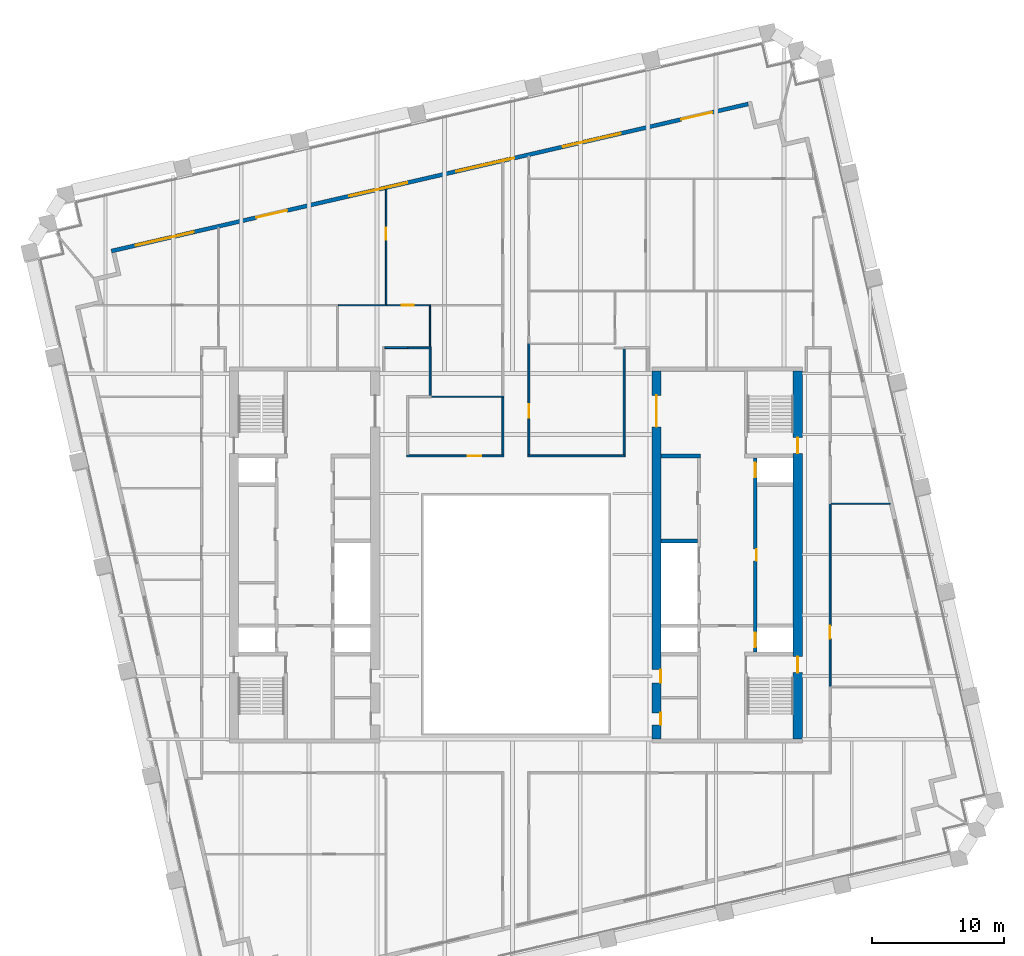
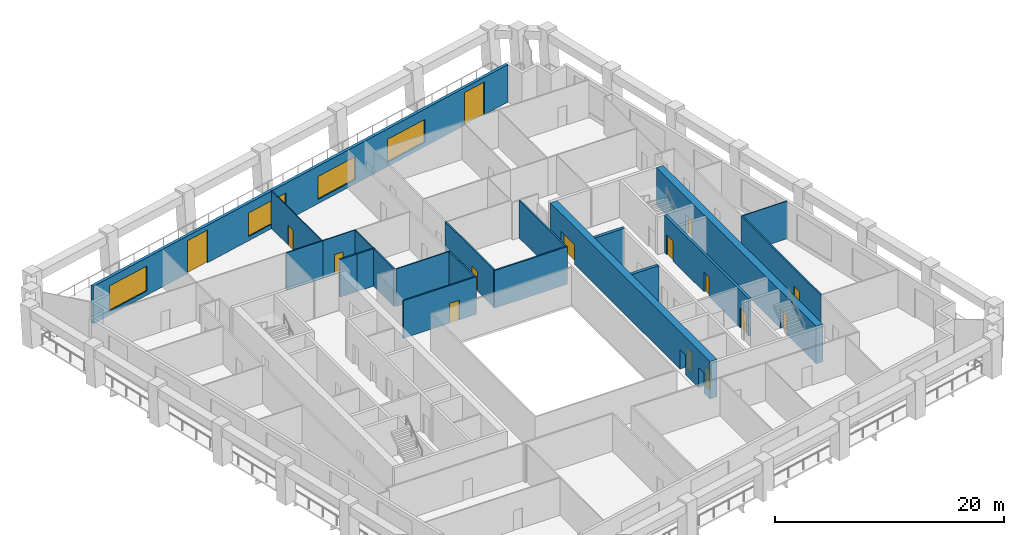
# One storey, part 7 of 10: 21 walls, 15 doors, 4 windows, 19 openings.
"""IFC4 building model written with IfcOpenShell, lengths in metres."""

from ifc_helpers import new_model, si_unit, direction, frame, frame_2d, origin, place, context, subcontext, project, spatial, rectangle, extrude, material, layer, layer_set, type_object, element, fill, save


model = new_model("IFC4")

# Units and contexts
model_context = context("Model", 3, precision=1e-05, world=origin(), true_north=direction((0.0, 1.0)))
body_context = subcontext(model_context, "Body", "Model", "MODEL_VIEW")
ifc_project = project(units=[si_unit("LENGTHUNIT", "METRE"), si_unit("AREAUNIT", "SQUARE_METRE"), si_unit("VOLUMEUNIT", "CUBIC_METRE"), si_unit("PLANEANGLEUNIT", "RADIAN"), si_unit("MASSUNIT", "GRAM", prefix="KILO")], contexts=[model_context])

# Site, building, storey
site_placement = place(None, origin())
site = spatial("IfcSite", under=ifc_project, at=site_placement, CompositionType="ELEMENT")
building_placement = place(site_placement, origin())
building = spatial("IfcBuilding", under=site, at=building_placement, Name="Ogive Exchange Tower", CompositionType="ELEMENT")
storey_placement = place(building_placement, frame((0.0, 0.0, 192.60009765625)))
storey = spatial("IfcBuildingStorey", under=building, at=storey_placement, Name="L42", CompositionType="ELEMENT", Elevation=192.60009765625)

# Walls
ifc_material_1 = material(Name="Gypsum board partition")
ifc_layer_1 = layer(ifc_material_1, 0.300048828125)
ifc_layer_set_1 = layer_set([ifc_layer_1], Name="Core room partition 300 gypsum")
wall_type_1 = type_object("IfcWallType", Name="Core room partition 300 gypsum", PredefinedType="PARTITIONING", material=ifc_layer_set_1)
wall_1_placement = place(storey_placement, frame((11.0, 19.0, 0.0), z_axis=(0.0, 0.0, 1.0), x_axis=(1.0, 0.0, 0.0)))
element("IfcWall", 1, at=wall_1_placement, inside=storey, type_object=wall_type_1, Name="E row B room end wall 7", PredefinedType="PARTITIONING", context=body_context, shape_type="SweptSolid", body=[
    extrude(rectangle(XDim=3.0, YDim=0.300048828125, at=frame_2d((1.5, 0.0))), origin(), (0.0, 0.0, 1.0), 4.0),
])
ifc_material_2 = material(Name="Fire partition EI 60 150")
ifc_layer_2 = layer(ifc_material_2, 0.14990234375)
ifc_layer_set_2 = layer_set([ifc_layer_2], Name="Fire partition EI 60 150")
wall_type_2 = type_object("IfcWallType", Name="Fire partition EI 60 150", PredefinedType="PARTITIONING", material=ifc_layer_set_2)
wall_2_placement = place(storey_placement, frame((-9.925048828125, 27.199951171875, 0.0), z_axis=(0.0, 0.0, 1.0), x_axis=(1.0, 0.0, 0.0)))
element("IfcWall", 2, at=wall_2_placement, inside=storey, type_object=wall_type_2, Name="L42-PWL-022", PredefinedType="PARTITIONING", context=body_context, shape_type="SweptSolid", body=[
    extrude(rectangle(XDim=1.72509765625, YDim=0.14990234375, at=frame_2d((0.862548828125, 0.0))), origin(), (0.0, 0.0, 1.0), 4.0),
])

# Wall, opening, door
wall_3_placement = place(storey_placement, frame((-8.27490234375, 19.0, 0.0), z_axis=(0.0, 0.0, 1.0), x_axis=(1.0, 0.0, 0.0)))
wall_3 = element("IfcWall", 3, at=wall_3_placement, inside=storey, type_object=wall_type_2, Name="L42-PWL-028", PredefinedType="PARTITIONING", context=body_context, shape_type="SweptSolid", body=[
    extrude(rectangle(XDim=7.35986328125, YDim=0.14990234375, at=frame_2d((3.679931640625, 0.0))), origin(), (0.0, 0.0, 1.0), 4.0),
])
opening_1_placement = place(wall_3_placement, frame((4.635009765625, 0.0, 0.0)))
opening_1 = element("IfcOpeningElement", 4, at=opening_1_placement, cuts=wall_3, Name="Opening L42-I03", PredefinedType="OPENING", context=body_context, shape_type="SweptSolid", body=[
    extrude(rectangle(XDim=1.0, YDim=2.10009765625, at=frame_2d((0.5, 1.050048828125))), frame((0.0, 0.0849609375, 0.0), z_axis=(0.0, -1.0, 0.0), x_axis=(1.0, 0.0, 0.0)), (0.0, 0.0, 1.0), 0.169921875),
])
ifc_material_3 = material(Name="Fire door FD 30S 1000 x 2100")
door_type_1 = type_object("IfcDoorType", Name="Fire door FD 30S 1000 x 2100", OperationType="NOTDEFINED", PredefinedType="DOOR", material=ifc_material_3)
door_1_placement = place(opening_1_placement, origin())
door_1 = element("IfcDoor", 5, at=door_1_placement, inside=storey, type_object=door_type_1, Name="L42-IDR-003", ObjectType="DT3", OperationType="SINGLE_SWING_LEFT", OverallHeight=2.10009765625, OverallWidth=1.0, PredefinedType="DOOR", context=body_context, shape_type="SweptSolid", body=[
    extrude(rectangle(XDim=1.0, YDim=2.10009765625, at=frame_2d((0.5, 1.050048828125))), frame((0.0, 0.02490234375, 0.0), z_axis=(0.0, -1.0, 0.0), x_axis=(1.0, 0.0, 0.0)), (0.0, 0.0, 1.0), 0.050048828125),
])
fill(opening_1, door_1)

# Walls
wall_4_placement = place(storey_placement, frame((-8.199951171875, 27.18994140625, 0.0), z_axis=(0.0, 0.0, 1.0), x_axis=(1.0, 0.0, 0.0)))
element("IfcWall", 6, at=wall_4_placement, inside=storey, type_object=wall_type_2, Name="L42-PWL-030", PredefinedType="PARTITIONING", context=body_context, shape_type="SweptSolid", body=[
    extrude(rectangle(XDim=1.77490234375, YDim=0.14990234375, at=frame_2d((0.887451171875, 0.0))), origin(), (0.0, 0.0, 1.0), 4.0),
])
wall_5_placement = place(storey_placement, frame((-6.5, 27.114990234375, 0.0), z_axis=(0.0, 0.0, 1.0), x_axis=(0.0, -1.0, 0.0)))
element("IfcWall", 7, at=wall_5_placement, inside=storey, type_object=wall_type_2, Name="L42-PWL-033", PredefinedType="PARTITIONING", context=body_context, shape_type="SweptSolid", body=[
    extrude(rectangle(XDim=3.550048828125, YDim=0.14990234375, at=frame_2d((1.77490234375, 0.0))), origin(), (0.0, 0.0, 1.0), 4.0),
])
wall_6_placement = place(storey_placement, frame((-0.989990234375, 19.074951171875, 0.0), z_axis=(0.0, 0.0, 1.0), x_axis=(0.0, 1.0, 0.0)))
element("IfcWall", 8, at=wall_6_placement, inside=storey, type_object=wall_type_2, Name="L42-PWL-038", PredefinedType="PARTITIONING", context=body_context, shape_type="SweptSolid", body=[
    extrude(rectangle(XDim=4.364990234375, YDim=0.14990234375, at=frame_2d((2.1826171875, 0.0))), origin(), (0.0, 0.0, 1.0), 4.0),
])
wall_7_placement = place(storey_placement, frame((0.9150390625, 19.0, 0.0), z_axis=(0.0, 0.0, 1.0), x_axis=(1.0, 0.0, 0.0)))
element("IfcWall", 9, at=wall_7_placement, inside=storey, type_object=wall_type_2, Name="L42-PWL-042", PredefinedType="PARTITIONING", context=body_context, shape_type="SweptSolid", body=[
    extrude(rectangle(XDim=7.349853515625, YDim=0.14990234375, at=frame_2d((3.6748046875, 0.0))), origin(), (0.0, 0.0, 1.0), 4.0),
])

# Wall, opening, door
wall_8_placement = place(storey_placement, frame((0.989990234375, 27.550048828125, 0.0), z_axis=(0.0, 0.0, 1.0), x_axis=(0.0, -1.0, 0.0)))
wall_8 = element("IfcWall", 10, at=wall_8_placement, inside=storey, type_object=wall_type_2, Name="L42-PWL-043", PredefinedType="PARTITIONING", context=body_context, shape_type="SweptSolid", body=[
    extrude(rectangle(XDim=8.47509765625, YDim=0.14990234375, at=frame_2d((4.237548828125, 0.0))), origin(), (0.0, 0.0, 1.0), 4.0),
])
opening_2_placement = place(wall_8_placement, frame((4.64990234375, 0.0, 0.0)))
opening_2 = element("IfcOpeningElement", 11, at=opening_2_placement, cuts=wall_8, Name="Opening L42-I23", PredefinedType="OPENING", context=body_context, shape_type="SweptSolid", body=[
    extrude(rectangle(XDim=1.0, YDim=2.10009765625, at=frame_2d((0.5, 1.050048828125))), frame((0.0, 0.0849609375, 0.0), z_axis=(0.0, -1.0, 0.0), x_axis=(1.0, 0.0, 0.0)), (0.0, 0.0, 1.0), 0.169921875),
])
door_2_placement = place(opening_2_placement, origin())
door_2 = element("IfcDoor", 12, at=door_2_placement, inside=storey, type_object=door_type_1, Name="L42-IDR-023", ObjectType="DT3", OperationType="SINGLE_SWING_LEFT", OverallHeight=2.10009765625, OverallWidth=1.0, PredefinedType="DOOR", context=body_context, shape_type="SweptSolid", body=[
    extrude(rectangle(XDim=1.0, YDim=2.10009765625, at=frame_2d((0.5, 1.050048828125))), frame((0.0, 0.02490234375, 0.0), z_axis=(0.0, -1.0, 0.0), x_axis=(1.0, 0.0, 0.0)), (0.0, 0.0, 1.0), 0.050048828125),
])
fill(opening_2, door_2)

# Wall
wall_9_placement = place(storey_placement, frame((8.18994140625, 19.074951171875, 0.0), z_axis=(0.0, 0.0, 1.0), x_axis=(0.0, 1.0, 0.0)))
element("IfcWall", 13, at=wall_9_placement, inside=storey, type_object=wall_type_2, Name="L42-PWL-053", PredefinedType="PARTITIONING", context=body_context, shape_type="SweptSolid", body=[
    extrude(rectangle(XDim=8.06494140625, YDim=0.14990234375, at=frame_2d((4.032470703125, 0.0))), origin(), (0.0, 0.0, 1.0), 4.0),
])

# Wall, opening, door
wall_10_placement = place(storey_placement, frame((23.800048828125, 15.429931640625, 0.0), z_axis=(0.0, 0.0, 1.0), x_axis=(0.0, -1.0, 0.0)))
wall_10 = element("IfcWall", 14, at=wall_10_placement, inside=storey, type_object=wall_type_2, Name="L42-PWL-080", PredefinedType="PARTITIONING", context=body_context, shape_type="SweptSolid", body=[
    extrude(rectangle(XDim=13.919921875, YDim=0.14990234375, at=frame_2d((6.9599609375, 0.0))), origin(), (0.0, 0.0, 1.0), 4.0),
])
opening_3_placement = place(wall_10_placement, frame((9.27001953125, 0.0, 0.0)))
opening_3 = element("IfcOpeningElement", 15, at=opening_3_placement, cuts=wall_10, Name="Opening L42-I19", PredefinedType="OPENING", context=body_context, shape_type="SweptSolid", body=[
    extrude(rectangle(XDim=1.0, YDim=2.10009765625, at=frame_2d((0.5, 1.050048828125))), frame((0.0, 0.0849609375, 0.0), z_axis=(0.0, -1.0, 0.0), x_axis=(1.0, 0.0, 0.0)), (0.0, 0.0, 1.0), 0.169921875),
])
door_3_placement = place(opening_3_placement, origin())
door_3 = element("IfcDoor", 16, at=door_3_placement, inside=storey, type_object=door_type_1, Name="L42-IDR-019", ObjectType="DT3", OperationType="SINGLE_SWING_LEFT", OverallHeight=2.10009765625, OverallWidth=1.0, PredefinedType="DOOR", context=body_context, shape_type="SweptSolid", body=[
    extrude(rectangle(XDim=1.0, YDim=2.10009765625, at=frame_2d((0.5, 1.050048828125))), frame((0.0, 0.02490234375, 0.0), z_axis=(0.0, -1.0, 0.0), x_axis=(1.0, 0.0, 0.0)), (0.0, 0.0, 1.0), 0.050048828125),
])
fill(opening_3, door_3)

# Wall, openings, doors, windows
ifc_material_4 = material(Name="Precast concrete C40/50", Category="concrete")
ifc_layer_3 = layer(ifc_material_4, 0.300048828125)
ifc_layer_set_3 = layer_set([ifc_layer_3], Name="Limestone-faced wall 300")
wall_type_3 = type_object("IfcWallType", Name="Limestone-faced wall 300", PredefinedType="STANDARD", material=ifc_layer_set_3)
wall_11_placement = place(storey_placement, frame((17.592041015625, 45.6572265625, 0.0), z_axis=(0.0, 0.0, 1.0), x_axis=(-0.974370243697, -0.224950279389, 0.0)))
wall_11 = element("IfcWall", 17, at=wall_11_placement, inside=storey, type_object=wall_type_3, Name="External wall N3", PredefinedType="STANDARD", context=body_context, shape_type="SweptSolid", body=[
    extrude(rectangle(XDim=49.499755859375, YDim=0.300048828125, at=frame_2d((24.75, 0.0))), origin(), (0.0, 0.0, 1.0), 4.0),
])
opening_4_placement = place(wall_11_placement, frame((2.800048828125, 0.0, 0.0)))
opening_4 = element("IfcOpeningElement", 18, at=opening_4_placement, cuts=wall_11, Name="Opening D1", PredefinedType="OPENING", context=body_context, shape_type="SweptSolid", body=[
    extrude(rectangle(XDim=2.39990234375, YDim=3.5, at=frame_2d((1.199951171875, 1.75))), frame((0.0, 0.159912109375, 0.0), z_axis=(0.0, -1.0, 0.0), x_axis=(1.0, 0.0, 0.0)), (0.0, 0.0, 1.0), 0.320068359375),
])
opening_5_placement = place(wall_11_placement, frame((9.89990234375, 0.0, 0.449951171875)))
opening_5 = element("IfcOpeningElement", 19, at=opening_5_placement, cuts=wall_11, Name="Opening W1Q", PredefinedType="OPENING", context=body_context, shape_type="SweptSolid", body=[
    extrude(rectangle(XDim=4.5, YDim=2.449951171875, at=frame_2d((2.25, 1.22509765625))), frame((0.0, 0.159912109375, 0.0), z_axis=(0.0, -1.0, 0.0), x_axis=(1.0, 0.0, 0.0)), (0.0, 0.0, 1.0), 0.320068359375),
])
opening_6_placement = place(wall_11_placement, frame((18.199951171875, 0.0, 0.449951171875)))
opening_6 = element("IfcOpeningElement", 20, at=opening_6_placement, cuts=wall_11, Name="Opening W1Q", PredefinedType="OPENING", context=body_context, shape_type="SweptSolid", body=[
    extrude(rectangle(XDim=4.5, YDim=2.449951171875, at=frame_2d((2.25, 1.22509765625))), frame((0.0, 0.159912109375, 0.0), z_axis=(0.0, -1.0, 0.0), x_axis=(1.0, 0.0, 0.0)), (0.0, 0.0, 1.0), 0.320068359375),
])
opening_7_placement = place(wall_11_placement, frame((26.5, 0.0, 0.449951171875)))
opening_7 = element("IfcOpeningElement", 21, at=opening_7_placement, cuts=wall_11, Name="Opening W1N", PredefinedType="OPENING", context=body_context, shape_type="SweptSolid", body=[
    extrude(rectangle(XDim=4.5, YDim=2.52490234375, at=frame_2d((2.25, 1.262451171875))), frame((0.0, 0.159912109375, 0.0), z_axis=(0.0, -1.0, 0.0), x_axis=(1.0, 0.0, 0.0)), (0.0, 0.0, 1.0), 0.320068359375),
])
opening_8_placement = place(wall_11_placement, frame((35.85009765625, 0.0, 0.0)))
opening_8 = element("IfcOpeningElement", 22, at=opening_8_placement, cuts=wall_11, Name="Opening D1", PredefinedType="OPENING", context=body_context, shape_type="SweptSolid", body=[
    extrude(rectangle(XDim=2.39990234375, YDim=3.5, at=frame_2d((1.199951171875, 1.75))), frame((0.0, 0.159912109375, 0.0), z_axis=(0.0, -1.0, 0.0), x_axis=(1.0, 0.0, 0.0)), (0.0, 0.0, 1.0), 0.320068359375),
])
opening_9_placement = place(wall_11_placement, frame((43.10009765625, 0.0, 0.449951171875)))
opening_9 = element("IfcOpeningElement", 23, at=opening_9_placement, cuts=wall_11, Name="Opening W1J", PredefinedType="OPENING", context=body_context, shape_type="SweptSolid", body=[
    extrude(rectangle(XDim=4.5, YDim=2.675048828125, at=frame_2d((2.25, 1.33740234375))), frame((0.0, 0.159912109375, 0.0), z_axis=(0.0, -1.0, 0.0), x_axis=(1.0, 0.0, 0.0)), (0.0, 0.0, 1.0), 0.320068359375),
])
ifc_material_5 = material(Name="Clear glass in bronze frame", Category="glass")
door_type_2 = type_object("IfcDoorType", Name="Sliding loggia door 2400 x 3500", OperationType="DOUBLE_DOOR_SLIDING", PredefinedType="DOOR", material=ifc_material_5)
door_4_placement = place(opening_4_placement, origin())
door_4 = element("IfcDoor", 24, at=door_4_placement, inside=storey, type_object=door_type_2, Name="Loggia door N00", OperationType="DOUBLE_DOOR_SLIDING", OverallHeight=3.5, OverallWidth=2.39990234375, PredefinedType="DOOR", context=body_context, shape_type="SweptSolid", body=[
    extrude(rectangle(XDim=2.39990234375, YDim=3.5, at=frame_2d((1.199951171875, 1.75))), frame((0.0, 0.02490234375, 0.0), z_axis=(0.0, -1.0, 0.0), x_axis=(1.0, 0.0, 0.0)), (0.0, 0.0, 1.0), 0.050048828125),
])
fill(opening_4, door_4)
door_5_placement = place(opening_8_placement, origin())
door_5 = element("IfcDoor", 25, at=door_5_placement, inside=storey, type_object=door_type_2, Name="Loggia door N04", OperationType="DOUBLE_DOOR_SLIDING", OverallHeight=3.5, OverallWidth=2.39990234375, PredefinedType="DOOR", context=body_context, shape_type="SweptSolid", body=[
    extrude(rectangle(XDim=2.39990234375, YDim=3.5, at=frame_2d((1.199951171875, 1.75))), frame((0.0, 0.02490234375, 0.0), z_axis=(0.0, -1.0, 0.0), x_axis=(1.0, 0.0, 0.0)), (0.0, 0.0, 1.0), 0.050048828125),
])
fill(opening_8, door_5)
window_type_1 = type_object("IfcWindowType", Name="Twin lancet window 4500 x 2450", PartitioningType="DOUBLE_PANEL_VERTICAL", PredefinedType="WINDOW", material=ifc_material_5)
window_1_placement = place(opening_5_placement, origin())
window_1 = element("IfcWindow", 26, at=window_1_placement, inside=storey, type_object=window_type_1, Name="Window N01", OverallHeight=2.449951171875, OverallWidth=4.5, PartitioningType="DOUBLE_PANEL_VERTICAL", PredefinedType="WINDOW", context=body_context, shape_type="SweptSolid", body=[
    extrude(rectangle(XDim=4.5, YDim=2.449951171875, at=frame_2d((2.25, 1.22509765625))), frame((0.0, 0.030029296875, 0.0), z_axis=(0.0, -1.0, 0.0), x_axis=(1.0, 0.0, 0.0)), (0.0, 0.0, 1.0), 0.06005859375),
])
fill(opening_5, window_1)
window_2_placement = place(opening_6_placement, origin())
window_2 = element("IfcWindow", 27, at=window_2_placement, inside=storey, type_object=window_type_1, Name="Window N02", OverallHeight=2.449951171875, OverallWidth=4.5, PartitioningType="DOUBLE_PANEL_VERTICAL", PredefinedType="WINDOW", context=body_context, shape_type="SweptSolid", body=[
    extrude(rectangle(XDim=4.5, YDim=2.449951171875, at=frame_2d((2.25, 1.22509765625))), frame((0.0, 0.030029296875, 0.0), z_axis=(0.0, -1.0, 0.0), x_axis=(1.0, 0.0, 0.0)), (0.0, 0.0, 1.0), 0.06005859375),
])
fill(opening_6, window_2)
window_type_2 = type_object("IfcWindowType", Name="Twin lancet window 4500 x 2525", PartitioningType="DOUBLE_PANEL_VERTICAL", PredefinedType="WINDOW", material=ifc_material_5)
window_3_placement = place(opening_7_placement, origin())
window_3 = element("IfcWindow", 28, at=window_3_placement, inside=storey, type_object=window_type_2, Name="Window N03", OverallHeight=2.52490234375, OverallWidth=4.5, PartitioningType="DOUBLE_PANEL_VERTICAL", PredefinedType="WINDOW", context=body_context, shape_type="SweptSolid", body=[
    extrude(rectangle(XDim=4.5, YDim=2.52490234375, at=frame_2d((2.25, 1.262451171875))), frame((0.0, 0.030029296875, 0.0), z_axis=(0.0, -1.0, 0.0), x_axis=(1.0, 0.0, 0.0)), (0.0, 0.0, 1.0), 0.06005859375),
])
fill(opening_7, window_3)
window_type_3 = type_object("IfcWindowType", Name="Twin lancet window 4500 x 2675", PartitioningType="DOUBLE_PANEL_VERTICAL", PredefinedType="WINDOW", material=ifc_material_5)
window_4_placement = place(opening_9_placement, origin())
window_4 = element("IfcWindow", 29, at=window_4_placement, inside=storey, type_object=window_type_3, Name="Window N05", OverallHeight=2.675048828125, OverallWidth=4.5, PartitioningType="DOUBLE_PANEL_VERTICAL", PredefinedType="WINDOW", context=body_context, shape_type="SweptSolid", body=[
    extrude(rectangle(XDim=4.5, YDim=2.675048828125, at=frame_2d((2.25, 1.33740234375))), frame((0.0, 0.030029296875, 0.0), z_axis=(0.0, -1.0, 0.0), x_axis=(1.0, 0.0, 0.0)), (0.0, 0.0, 1.0), 0.06005859375),
])
fill(opening_9, window_4)

# Wall
ifc_material_6 = material(Name="Partition 100 gypsum")
ifc_layer_4 = layer(ifc_material_6, 0.10009765625)
ifc_layer_set_4 = layer_set([ifc_layer_4], Name="Partition 100 gypsum")
wall_type_4 = type_object("IfcWallType", Name="Partition 100 gypsum", PredefinedType="PARTITIONING", material=ifc_layer_set_4)
wall_12_placement = place(storey_placement, frame((-13.449951171875, 30.419921875, 0.0), z_axis=(0.0, 0.0, 1.0), x_axis=(1.0, 0.0, 0.0)))
element("IfcWall", 30, at=wall_12_placement, inside=storey, type_object=wall_type_4, Name="L42-PWL-018", PredefinedType="PARTITIONING", context=body_context, shape_type="SweptSolid", body=[
    extrude(rectangle(XDim=3.669921875, YDim=0.10009765625, at=frame_2d((1.8349609375, 0.0))), origin(), (0.0, 0.0, 1.0), 4.0),
])

# Wall, opening, door
wall_13_placement = place(storey_placement, frame((-9.830078125, 30.469970703125, 0.0), z_axis=(0.0, 0.0, 1.0), x_axis=(0.0, 1.0, 0.0)))
wall_13 = element("IfcWall", 31, at=wall_13_placement, inside=storey, type_object=wall_type_4, Name="L42-PWL-026", PredefinedType="PARTITIONING", context=body_context, shape_type="SweptSolid", body=[
    extrude(rectangle(XDim=8.784912109375, YDim=0.10009765625, at=frame_2d((4.392578125, 0.0))), origin(), (0.0, 0.0, 1.0), 4.0),
])
opening_10_placement = place(wall_13_placement, frame((4.909912109375, 0.0, 0.0)))
opening_10 = element("IfcOpeningElement", 32, at=opening_10_placement, cuts=wall_13, Name="Opening L42-I08", PredefinedType="OPENING", context=body_context, shape_type="SweptSolid", body=[
    extrude(rectangle(XDim=0.89990234375, YDim=2.10009765625, at=frame_2d((0.449951171875, 1.050048828125))), frame((0.0, 0.06005859375, 0.0), z_axis=(0.0, -1.0, 0.0), x_axis=(1.0, 0.0, 0.0)), (0.0, 0.0, 1.0), 0.1201171875),
])
ifc_material_7 = material(Name="Door 900 x 2100")
door_type_3 = type_object("IfcDoorType", Name="Door 900 x 2100", OperationType="NOTDEFINED", PredefinedType="DOOR", material=ifc_material_7)
door_6_placement = place(opening_10_placement, frame((0.89990234375, 0.0, 0.0), z_axis=(0.0, 0.0, 1.0), x_axis=(-1.0, 0.0, 0.0)))
door_6 = element("IfcDoor", 33, at=door_6_placement, inside=storey, type_object=door_type_3, Name="L42-IDR-008", ObjectType="DT1", OperationType="SINGLE_SWING_RIGHT", OverallHeight=2.10009765625, OverallWidth=0.89990234375, PredefinedType="DOOR", context=body_context, shape_type="SweptSolid", body=[
    extrude(rectangle(XDim=0.89990234375, YDim=2.10009765625, at=frame_2d((0.449951171875, 1.050048828125))), frame((0.0, 0.02490234375, 0.0), z_axis=(0.0, -1.0, 0.0), x_axis=(1.0, 0.0, 0.0)), (0.0, 0.0, 1.0), 0.050048828125),
])
fill(opening_10, door_6)

wall_14_placement = place(storey_placement, frame((-9.780029296875, 30.419921875, 0.0), z_axis=(0.0, 0.0, 1.0), x_axis=(1.0, 0.0, 0.0)))
wall_14 = element("IfcWall", 34, at=wall_14_placement, inside=storey, type_object=wall_type_4, Name="L42-PWL-027", PredefinedType="PARTITIONING", context=body_context, shape_type="SweptSolid", body=[
    extrude(rectangle(XDim=3.330078125, YDim=0.10009765625, at=frame_2d((1.6650390625, 0.0))), origin(), (0.0, 0.0, 1.0), 4.0),
])
opening_11_placement = place(wall_14_placement, frame((1.14990234375, 0.0, 0.0)))
opening_11 = element("IfcOpeningElement", 35, at=opening_11_placement, cuts=wall_14, Name="Opening L42-I05", PredefinedType="OPENING", context=body_context, shape_type="SweptSolid", body=[
    extrude(rectangle(XDim=0.89990234375, YDim=2.10009765625, at=frame_2d((0.449951171875, 1.050048828125))), frame((0.0, 0.06005859375, 0.0), z_axis=(0.0, -1.0, 0.0), x_axis=(1.0, 0.0, 0.0)), (0.0, 0.0, 1.0), 0.1201171875),
])
door_7_placement = place(opening_11_placement, frame((0.89990234375, 0.0, 0.0), z_axis=(0.0, 0.0, 1.0), x_axis=(-1.0, 0.0, 0.0)))
door_7 = element("IfcDoor", 36, at=door_7_placement, inside=storey, type_object=door_type_3, Name="L42-IDR-005", ObjectType="DT1", OperationType="SINGLE_SWING_RIGHT", OverallHeight=2.10009765625, OverallWidth=0.89990234375, PredefinedType="DOOR", context=body_context, shape_type="SweptSolid", body=[
    extrude(rectangle(XDim=0.89990234375, YDim=2.10009765625, at=frame_2d((0.449951171875, 1.050048828125))), frame((0.0, 0.02490234375, 0.0), z_axis=(0.0, -1.0, 0.0), x_axis=(1.0, 0.0, 0.0)), (0.0, 0.0, 1.0), 0.050048828125),
])
fill(opening_11, door_7)

# Walls
wall_15_placement = place(storey_placement, frame((-6.425048828125, 23.489990234375, 0.0), z_axis=(0.0, 0.0, 1.0), x_axis=(1.0, 0.0, 0.0)))
element("IfcWall", 37, at=wall_15_placement, inside=storey, type_object=wall_type_4, Name="L42-PWL-032", PredefinedType="PARTITIONING", context=body_context, shape_type="SweptSolid", body=[
    extrude(rectangle(XDim=5.510009765625, YDim=0.10009765625, at=frame_2d((2.7548828125, 0.0))), origin(), (0.0, 0.0, 1.0), 4.0),
])
wall_16_placement = place(storey_placement, frame((-6.5, 30.3701171875, 0.0), z_axis=(0.0, 0.0, 1.0), x_axis=(0.0, -1.0, 0.0)))
element("IfcWall", 38, at=wall_16_placement, inside=storey, type_object=wall_type_4, Name="L42-PWL-034", PredefinedType="PARTITIONING", context=body_context, shape_type="SweptSolid", body=[
    extrude(rectangle(XDim=3.105224609375, YDim=0.10009765625, at=frame_2d((1.552734375, 0.0))), origin(), (0.0, 0.0, 1.0), 4.0),
])
wall_17_placement = place(storey_placement, frame((23.875, 15.3798828125, 0.0), z_axis=(0.0, 0.0, 1.0), x_axis=(1.0, 0.0, 0.0)))
element("IfcWall", 39, at=wall_17_placement, inside=storey, type_object=wall_type_4, Name="L42-PWL-081", PredefinedType="PARTITIONING", context=body_context, shape_type="SweptSolid", body=[
    extrude(rectangle(XDim=4.485107421875, YDim=0.10009765625, at=frame_2d((2.24267578125, 0.0))), origin(), (0.0, 0.0, 1.0), 4.0),
])

# Wall, openings, doors
ifc_material_8 = material(Name="Concrete C70/85", Category="concrete")
ifc_layer_5 = layer(ifc_material_8, 0.25)
ifc_layer_set_5 = layer_set([ifc_layer_5], Name="RC core wall 250 C70/85")
wall_type_5 = type_object("IfcWallType", Name="RC core wall 250 C70/85", PredefinedType="SHEAR", material=ifc_layer_set_5)
wall_18_placement = place(storey_placement, frame((18.125, 4.14990234375, 0.0), z_axis=(0.0, 0.0, 1.0), x_axis=(0.0, 1.0, 0.0)))
wall_18 = element("IfcWall", 40, at=wall_18_placement, inside=storey, type_object=wall_type_5, Name="E row A front wall", PredefinedType="SHEAR", context=body_context, shape_type="SweptSolid", body=[
    extrude(rectangle(XDim=14.7001953125, YDim=0.25, at=frame_2d((7.35009765625, 0.0))), origin(), (0.0, 0.0, 1.0), 4.0),
])
opening_12_placement = place(wall_18_placement, frame((6.89990234375, 0.0, 0.0)))
opening_12 = element("IfcOpeningElement", 41, at=opening_12_placement, cuts=wall_18, Name="Opening L42-C19", PredefinedType="OPENING", context=body_context, shape_type="SweptSolid", body=[
    extrude(rectangle(XDim=0.89990234375, YDim=2.10009765625, at=frame_2d((0.449951171875, 1.050048828125))), frame((0.0, 0.135009765625, 0.0), z_axis=(0.0, -1.0, 0.0), x_axis=(1.0, 0.0, 0.0)), (0.0, 0.0, 1.0), 0.27001953125),
])
opening_13_placement = place(wall_18_placement, frame((0.371337890625, 0.0, 0.0)))
opening_13 = element("IfcOpeningElement", 42, at=opening_13_placement, cuts=wall_18, Name="Opening L42-C20", PredefinedType="OPENING", context=body_context, shape_type="SweptSolid", body=[
    extrude(rectangle(XDim=1.10009765625, YDim=2.10009765625, at=frame_2d((0.550048828125, 1.050048828125))), frame((0.0, 0.135009765625, 0.0), z_axis=(0.0, -1.0, 0.0), x_axis=(1.0, 0.0, 0.0)), (0.0, 0.0, 1.0), 0.27001953125),
])
opening_14_placement = place(wall_18_placement, frame((13.228515625, 0.0, 0.0)))
opening_14 = element("IfcOpeningElement", 43, at=opening_14_placement, cuts=wall_18, Name="Opening L42-C21", PredefinedType="OPENING", context=body_context, shape_type="SweptSolid", body=[
    extrude(rectangle(XDim=1.10009765625, YDim=2.10009765625, at=frame_2d((0.550048828125, 1.050048828125))), frame((0.0, 0.135009765625, 0.0), z_axis=(0.0, -1.0, 0.0), x_axis=(1.0, 0.0, 0.0)), (0.0, 0.0, 1.0), 0.27001953125),
])
ifc_material_9 = material(Name="Stainless steel", Category="steel")
door_type_4 = type_object("IfcDoorType", Name="Lift landing door FD90 1100 x 2100", OperationType="SLIDING_TO_LEFT", PredefinedType="DOOR", material=ifc_material_9)
door_8_placement = place(opening_13_placement, origin())
door_8 = element("IfcDoor", 44, at=door_8_placement, inside=storey, type_object=door_type_4, Name="Lift landing door FF2", ObjectType="LD", OperationType="SLIDING_TO_LEFT", OverallHeight=2.10009765625, OverallWidth=1.10009765625, PredefinedType="DOOR", context=body_context, shape_type="SweptSolid", body=[
    extrude(rectangle(XDim=1.10009765625, YDim=2.10009765625, at=frame_2d((0.550048828125, 1.050048828125))), frame((0.0, 0.02490234375, 0.0), z_axis=(0.0, -1.0, 0.0), x_axis=(1.0, 0.0, 0.0)), (0.0, 0.0, 1.0), 0.050048828125),
])
fill(opening_13, door_8)
door_9_placement = place(opening_14_placement, origin())
door_9 = element("IfcDoor", 45, at=door_9_placement, inside=storey, type_object=door_type_4, Name="Lift landing door E-SH2", ObjectType="LD", OperationType="SLIDING_TO_LEFT", OverallHeight=2.10009765625, OverallWidth=1.10009765625, PredefinedType="DOOR", context=body_context, shape_type="SweptSolid", body=[
    extrude(rectangle(XDim=1.10009765625, YDim=2.10009765625, at=frame_2d((0.550048828125, 1.050048828125))), frame((0.0, 0.02490234375, 0.0), z_axis=(0.0, -1.0, 0.0), x_axis=(1.0, 0.0, 0.0)), (0.0, 0.0, 1.0), 0.050048828125),
])
fill(opening_14, door_9)
ifc_material_10 = material(Name="Steel fire door", Category="steel")
door_type_5 = type_object("IfcDoorType", Name="Riser door FD60 900 x 2100", OperationType="NOTDEFINED", PredefinedType="DOOR", material=ifc_material_10)
door_10_placement = place(opening_12_placement, frame((0.89990234375, -0.2001953125, 0.0), z_axis=(0.0, 0.0, 1.0), x_axis=(-1.0, 0.0, 0.0)))
door_10 = element("IfcDoor", 46, at=door_10_placement, inside=storey, type_object=door_type_5, Name="Riser door", ObjectType="CD2", OperationType="SINGLE_SWING_LEFT", OverallHeight=2.10009765625, OverallWidth=0.89990234375, PredefinedType="DOOR", context=body_context, shape_type="SweptSolid", body=[
    extrude(rectangle(XDim=0.89990234375, YDim=2.10009765625, at=frame_2d((0.449951171875, 1.050048828125))), frame((0.0, -0.0751953125, 0.0), z_axis=(0.0, -1.0, 0.0), x_axis=(1.0, 0.0, 0.0)), (0.0, 0.0, 1.0), 0.050048828125),
])
fill(opening_12, door_10)

# Wall
ifc_layer_6 = layer(ifc_material_8, 0.300048828125)
ifc_layer_set_6 = layer_set([ifc_layer_6], Name="RC core wall 300 C70/85")
wall_type_6 = type_object("IfcWallType", Name="RC core wall 300 C70/85", PredefinedType="SHEAR", material=ifc_layer_set_6)
wall_19_placement = place(storey_placement, frame((11.0, 12.5712890625, 0.0), z_axis=(0.0, 0.0, 1.0), x_axis=(1.0, 0.0, 0.0)))
element("IfcWall", 47, at=wall_19_placement, inside=storey, type_object=wall_type_6, Name="E row B divider 4", PredefinedType="SHEAR", context=body_context, shape_type="SweptSolid", body=[
    extrude(rectangle(XDim=2.75, YDim=0.300048828125, at=frame_2d((1.375, 0.0))), origin(), (0.0, 0.0, 1.0), 4.0),
])

# Wall, openings, doors
ifc_layer_7 = layer(ifc_material_8, 0.699951171875)
ifc_layer_set_7 = layer_set([ifc_layer_7], Name="RC core wall 700 C70/85")
wall_type_7 = type_object("IfcWallType", Name="RC core wall 700 C70/85", PredefinedType="SHEAR", material=ifc_layer_set_7)
wall_20_placement = place(storey_placement, frame((21.35009765625, -2.449951171875, 0.0), z_axis=(0.0, 0.0, 1.0), x_axis=(0.0, 1.0, 0.0)))
wall_20 = element("IfcWall", 48, at=wall_20_placement, inside=storey, type_object=wall_type_7, Name="E outer wall", PredefinedType="SHEAR", context=body_context, shape_type="SweptSolid", body=[
    extrude(rectangle(XDim=27.89990234375, YDim=0.699951171875, at=frame_2d((13.949951171875, 0.0))), origin(), (0.0, 0.0, 1.0), 4.0),
])
opening_15_placement = place(wall_20_placement, frame((5.050048828125, 0.0, 0.0)))
opening_15 = element("IfcOpeningElement", 49, at=opening_15_placement, cuts=wall_20, Name="Opening L42-C30", PredefinedType="OPENING", context=body_context, shape_type="SweptSolid", body=[
    extrude(rectangle(XDim=1.199951171875, YDim=2.10009765625, at=frame_2d((0.60009765625, 1.050048828125))), frame((0.0, 0.35986328125, 0.0), z_axis=(0.0, -1.0, 0.0), x_axis=(1.0, 0.0, 0.0)), (0.0, 0.0, 1.0), 0.719970703125),
])
opening_16_placement = place(wall_20_placement, frame((21.64990234375, 0.0, 0.0)))
opening_16 = element("IfcOpeningElement", 50, at=opening_16_placement, cuts=wall_20, Name="Opening L42-C32", PredefinedType="OPENING", context=body_context, shape_type="SweptSolid", body=[
    extrude(rectangle(XDim=1.199951171875, YDim=2.10009765625, at=frame_2d((0.60009765625, 1.050048828125))), frame((0.0, 0.35986328125, 0.0), z_axis=(0.0, -1.0, 0.0), x_axis=(1.0, 0.0, 0.0)), (0.0, 0.0, 1.0), 0.719970703125),
])
door_type_6 = type_object("IfcDoorType", Name="Stair door FD90 1200 x 2100", OperationType="NOTDEFINED", PredefinedType="DOOR", material=ifc_material_10)
door_11_placement = place(opening_15_placement, origin())
door_11 = element("IfcDoor", 51, at=door_11_placement, inside=storey, type_object=door_type_6, Name="Stair door", ObjectType="CD5", OperationType="SINGLE_SWING_LEFT", OverallHeight=2.10009765625, OverallWidth=1.199951171875, PredefinedType="DOOR", context=body_context, shape_type="SweptSolid", body=[
    extrude(rectangle(XDim=1.199951171875, YDim=2.10009765625, at=frame_2d((0.60009765625, 1.050048828125))), frame((0.0, 0.02490234375, 0.0), z_axis=(0.0, -1.0, 0.0), x_axis=(1.0, 0.0, 0.0)), (0.0, 0.0, 1.0), 0.050048828125),
])
fill(opening_15, door_11)
door_12_placement = place(opening_16_placement, origin())
door_12 = element("IfcDoor", 52, at=door_12_placement, inside=storey, type_object=door_type_6, Name="Stair door", ObjectType="CD5", OperationType="SINGLE_SWING_RIGHT", OverallHeight=2.10009765625, OverallWidth=1.199951171875, PredefinedType="DOOR", context=body_context, shape_type="SweptSolid", body=[
    extrude(rectangle(XDim=1.199951171875, YDim=2.10009765625, at=frame_2d((0.60009765625, 1.050048828125))), frame((0.0, 0.02490234375, 0.0), z_axis=(0.0, -1.0, 0.0), x_axis=(1.0, 0.0, 0.0)), (0.0, 0.0, 1.0), 0.050048828125),
])
fill(opening_16, door_12)

wall_21_placement = place(storey_placement, frame((10.64990234375, -2.449951171875, 0.0), z_axis=(0.0, 0.0, 1.0), x_axis=(0.0, 1.0, 0.0)))
wall_21 = element("IfcWall", 53, at=wall_21_placement, inside=storey, type_object=wall_type_7, Name="E inner wall", PredefinedType="SHEAR", context=body_context, shape_type="SweptSolid", body=[
    extrude(rectangle(XDim=27.89990234375, YDim=0.699951171875, at=frame_2d((13.949951171875, 0.0))), origin(), (0.0, 0.0, 1.0), 4.0),
])
opening_17_placement = place(wall_21_placement, frame((23.64990234375, 0.0, 0.0)))
opening_17 = element("IfcOpeningElement", 54, at=opening_17_placement, cuts=wall_21, Name="Opening L42-C28", PredefinedType="OPENING", context=body_context, shape_type="SweptSolid", body=[
    extrude(rectangle(XDim=2.39990234375, YDim=2.10009765625, at=frame_2d((1.199951171875, 1.050048828125))), frame((0.0, 0.35986328125, 0.0), z_axis=(0.0, -1.0, 0.0), x_axis=(1.0, 0.0, 0.0)), (0.0, 0.0, 1.0), 0.719970703125),
])
opening_18_placement = place(wall_21_placement, frame((1.08740234375, 0.0, 0.0)))
opening_18 = element("IfcOpeningElement", 55, at=opening_18_placement, cuts=wall_21, Name="Opening L42-C33", PredefinedType="OPENING", context=body_context, shape_type="SweptSolid", body=[
    extrude(rectangle(XDim=0.89990234375, YDim=2.10009765625, at=frame_2d((0.449951171875, 1.050048828125))), frame((0.0, 0.35986328125, 0.0), z_axis=(0.0, -1.0, 0.0), x_axis=(1.0, 0.0, 0.0)), (0.0, 0.0, 1.0), 0.719970703125),
])
opening_19_placement = place(wall_21_placement, frame((4.262451171875, 0.0, 0.0)))
opening_19 = element("IfcOpeningElement", 56, at=opening_19_placement, cuts=wall_21, Name="Opening L42-C34", PredefinedType="OPENING", context=body_context, shape_type="SweptSolid", body=[
    extrude(rectangle(XDim=1.0, YDim=2.10009765625, at=frame_2d((0.5, 1.050048828125))), frame((0.0, 0.35986328125, 0.0), z_axis=(0.0, -1.0, 0.0), x_axis=(1.0, 0.0, 0.0)), (0.0, 0.0, 1.0), 0.719970703125),
])
ifc_material_11 = material(Name="Timber fire door", Category="wood")
door_type_7 = type_object("IfcDoorType", Name="Accessible WC door FD30S 1000 x 2100", OperationType="NOTDEFINED", PredefinedType="DOOR", material=ifc_material_11)
door_13_placement = place(opening_19_placement, frame((1.0, -0.64990234375, 0.0), z_axis=(0.0, 0.0, 1.0), x_axis=(-1.0, 0.0, 0.0)))
door_13 = element("IfcDoor", 57, at=door_13_placement, inside=storey, type_object=door_type_7, Name="Accessible WC door", ObjectType="CD7", OperationType="SINGLE_SWING_RIGHT", OverallHeight=2.10009765625, OverallWidth=1.0, PredefinedType="DOOR", context=body_context, shape_type="SweptSolid", body=[
    extrude(rectangle(XDim=1.0, YDim=2.10009765625, at=frame_2d((0.5, 1.050048828125))), frame((0.0, -0.2998046875, 0.0), z_axis=(0.0, -1.0, 0.0), x_axis=(1.0, 0.0, 0.0)), (0.0, 0.0, 1.0), 0.050048828125),
])
fill(opening_19, door_13)
door_type_8 = type_object("IfcDoorType", Name="Core room door FD30S 900 x 2100", OperationType="NOTDEFINED", PredefinedType="DOOR", material=ifc_material_11)
door_14_placement = place(opening_18_placement, frame((0.89990234375, -0.64990234375, 0.0), z_axis=(0.0, 0.0, 1.0), x_axis=(-1.0, 0.0, 0.0)))
door_14 = element("IfcDoor", 58, at=door_14_placement, inside=storey, type_object=door_type_8, Name="Core room door", ObjectType="CD6", OperationType="SINGLE_SWING_LEFT", OverallHeight=2.10009765625, OverallWidth=0.89990234375, PredefinedType="DOOR", context=body_context, shape_type="SweptSolid", body=[
    extrude(rectangle(XDim=0.89990234375, YDim=2.10009765625, at=frame_2d((0.449951171875, 1.050048828125))), frame((0.0, -0.2998046875, 0.0), z_axis=(0.0, -1.0, 0.0), x_axis=(1.0, 0.0, 0.0)), (0.0, 0.0, 1.0), 0.050048828125),
])
fill(opening_18, door_14)
ifc_material_12 = material(Name="Glazed steel fire door", Category="steel")
door_type_9 = type_object("IfcDoorType", Name="Lift lobby double door FD60 2400 x 2100", OperationType="DOUBLE_DOOR_SINGLE_SWING", PredefinedType="DOOR", material=ifc_material_12)
door_15_placement = place(opening_17_placement, origin())
door_15 = element("IfcDoor", 59, at=door_15_placement, inside=storey, type_object=door_type_9, Name="Lift lobby double door", ObjectType="CD4", OperationType="DOUBLE_DOOR_SINGLE_SWING", OverallHeight=2.10009765625, OverallWidth=2.39990234375, PredefinedType="DOOR", context=body_context, shape_type="SweptSolid", body=[
    extrude(rectangle(XDim=2.39990234375, YDim=2.10009765625, at=frame_2d((1.199951171875, 1.050048828125))), frame((0.0, 0.02490234375, 0.0), z_axis=(0.0, -1.0, 0.0), x_axis=(1.0, 0.0, 0.0)), (0.0, 0.0, 1.0), 0.050048828125),
])
fill(opening_17, door_15)

save(model, "model.ifc")
